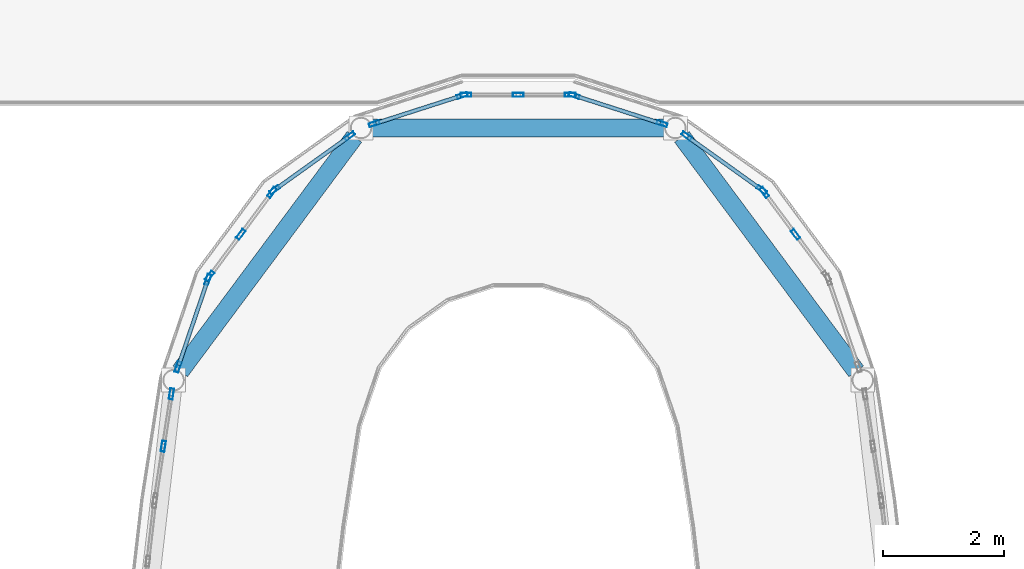
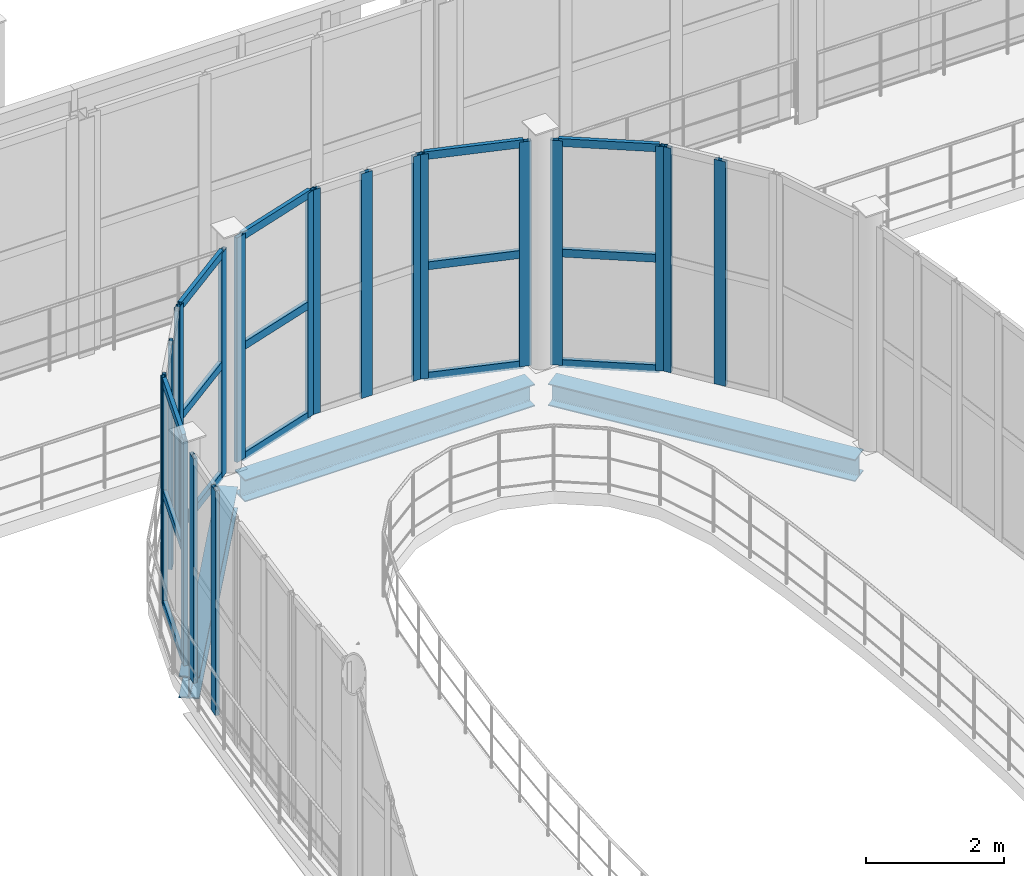
# One storey, part 45 of 138: 35 members, 3 beams, 9 elements without a shape of their own.
"""IFC4 building model written with IfcOpenShell, lengths in metres."""

from ifc_helpers import new_model, si_unit, direction, frame, origin, origin_2d, place, context, subcontext, project, spatial, hollow_rectangle, i_section, extrude, material, layer, layer_set, material_profile, profile_set, type_object, element, aggregate, save


model = new_model("IFC4")

# Units and contexts
model_context = context("Model", 3, precision=1e-05, world=origin(), true_north=direction((0.0, 1.0)))
body_context = subcontext(model_context, "Body", "Model", "MODEL_VIEW")
ifc_project = project(units=[si_unit("LENGTHUNIT", "METRE"), si_unit("AREAUNIT", "SQUARE_METRE"), si_unit("VOLUMEUNIT", "CUBIC_METRE"), si_unit("PLANEANGLEUNIT", "RADIAN"), si_unit("MASSUNIT", "GRAM", prefix="KILO")], contexts=[model_context])

# Site, building, storey
site_placement = place(None, origin())
site = spatial("IfcSite", under=ifc_project, at=site_placement, CompositionType="ELEMENT")
building_placement = place(site_placement, origin())
building = spatial("IfcBuilding", under=site, at=building_placement, Name="Vinh Khe Railworks Police Headquarters", CompositionType="ELEMENT")
storey_placement = place(building_placement, frame((0.0, 0.0, 9.0)))
storey = spatial("IfcBuildingStorey", under=building, at=storey_placement, Name="L02", CompositionType="ELEMENT", Elevation=9.0)

# Curtain wall, members
ifc_material_1 = material(Name="Anodised aluminium and acoustic laminated glass", Category="aluminium")
ifc_layer = layer(ifc_material_1, 0.159912109375)
ifc_layer_set = layer_set([ifc_layer], Name="Anodised aluminium and acoustic laminated glass")
curtain_wall_type = type_object("IfcCurtainWallType", Name="CW-DRUM-CHORD", PredefinedType="USERDEFINED", material=ifc_layer_set)
curtain_wall_1_placement = place(storey_placement, origin())
curtain_wall_1 = element("IfcCurtainWall", 1, at=curtain_wall_1_placement, inside=storey, type_object=curtain_wall_type, Name="Elliptical Command Drum Glazing L02 Chord 11", ObjectType="DRUM FACADE GLAZING", PredefinedType="USERDEFINED")
ifc_material_2 = material(Name="Anodised aluminium 6063-T6", Category="aluminium")
ifc_material_profile_1 = material_profile(ifc_material_2, hollow_rectangle(XDim=0.06494140625, YDim=0.179931640625, WallThickness=0.0048828125, at=origin_2d()), Name="CW-M 65x180x5")
ifc_profile_set_1 = profile_set([ifc_material_profile_1], Name="Anodised aluminium 6063-T6")
member_type_1 = type_object("IfcMemberType", Name="MULL-CWM-02", PredefinedType="MULLION", material=ifc_profile_set_1)
member_1_placement = place(storey_placement, frame((47.799072265625, 53.4736328125, 0.0), z_axis=(0.0, 0.0, 1.0), x_axis=(-0.802591949394, -0.596528425784, 0.0)))
member_1 = element("IfcMember", 2, at=member_1_placement, type_object=member_type_1, Name="CW-02 mullion 2", PredefinedType="MULLION", context=body_context, shape_type="SweptSolid", body=[
    extrude(hollow_rectangle(XDim=0.06494140625, YDim=0.179931640625, WallThickness=0.0048828125, at=origin_2d()), origin(), (0.0, 0.0, 1.0), 3.969970703125),
])
member_2_placement = place(storey_placement, frame((47.283447265625, 54.16748046875, 0.0), z_axis=(0.0, 0.0, 1.0), x_axis=(-0.802591949394, -0.596528425784, 0.0)))
member_2 = element("IfcMember", 3, at=member_2_placement, type_object=member_type_1, Name="CW-02 mullion 3", PredefinedType="MULLION", context=body_context, shape_type="SweptSolid", body=[
    extrude(hollow_rectangle(XDim=0.06494140625, YDim=0.179931640625, WallThickness=0.0048828125, at=origin_2d()), origin(), (0.0, 0.0, 1.0), 3.969970703125),
])
aggregate(curtain_wall_1, [member_1, member_2])

curtain_wall_2_placement = place(storey_placement, origin())
curtain_wall_2 = element("IfcCurtainWall", 4, at=curtain_wall_2_placement, inside=storey, type_object=curtain_wall_type, Name="Elliptical Command Drum Glazing L02 Chord 12", ObjectType="DRUM FACADE GLAZING", PredefinedType="USERDEFINED")
member_3_placement = place(storey_placement, frame((47.237548828125, 54.21240234375, 0.0), z_axis=(0.0, 0.0, 1.0), x_axis=(-0.581915407422, -0.813249321306, 0.0)))
member_3 = element("IfcMember", 5, at=member_3_placement, type_object=member_type_1, Name="CW-02 mullion 1", PredefinedType="MULLION", context=body_context, shape_type="SweptSolid", body=[
    extrude(hollow_rectangle(XDim=0.06494140625, YDim=0.179931640625, WallThickness=0.0048828125, at=origin_2d()), origin(), (0.0, 0.0, 1.0), 3.969970703125),
])
member_4_placement = place(storey_placement, frame((45.992431640625, 55.103515625, 0.0), z_axis=(0.0, 0.0, 1.0), x_axis=(-0.581915407422, -0.813249321306, 0.0)))
member_4 = element("IfcMember", 6, at=member_4_placement, type_object=member_type_1, Name="CW-02 mullion 2", PredefinedType="MULLION", context=body_context, shape_type="SweptSolid", body=[
    extrude(hollow_rectangle(XDim=0.06494140625, YDim=0.179931640625, WallThickness=0.0048828125, at=origin_2d()), origin(), (0.0, 0.0, 1.0), 3.969970703125),
])

curtain_wall_3_placement = place(storey_placement, origin())
curtain_wall_3 = element("IfcCurtainWall", 7, at=curtain_wall_3_placement, inside=storey, type_object=curtain_wall_type, Name="Elliptical Command Drum Glazing L02 Chord 13", ObjectType="DRUM FACADE GLAZING", PredefinedType="USERDEFINED")
member_5_placement = place(storey_placement, frame((45.585693359375, 55.307861328125, 0.0), z_axis=(0.0, 0.0, 1.0), x_axis=(-0.305575355525, -0.952167895959, 0.0)))
member_5 = element("IfcMember", 8, at=member_5_placement, type_object=member_type_1, Name="CW-02 mullion 1", PredefinedType="MULLION", context=body_context, shape_type="SweptSolid", body=[
    extrude(hollow_rectangle(XDim=0.06494140625, YDim=0.179931640625, WallThickness=0.0048828125, at=origin_2d()), origin(), (0.0, 0.0, 1.0), 3.969970703125),
])
member_6_placement = place(storey_placement, frame((44.1279296875, 55.775634765625, 0.0), z_axis=(0.0, 0.0, 1.0), x_axis=(-0.305575355525, -0.952167895959, 0.0)))
member_6 = element("IfcMember", 9, at=member_6_placement, type_object=member_type_1, Name="CW-02 mullion 2", PredefinedType="MULLION", context=body_context, shape_type="SweptSolid", body=[
    extrude(hollow_rectangle(XDim=0.06494140625, YDim=0.179931640625, WallThickness=0.0048828125, at=origin_2d()), origin(), (0.0, 0.0, 1.0), 3.969970703125),
])

curtain_wall_4_placement = place(storey_placement, origin())
curtain_wall_4 = element("IfcCurtainWall", 10, at=curtain_wall_4_placement, inside=storey, type_object=curtain_wall_type, Name="Elliptical Command Drum Glazing L02 Chord 14", ObjectType="DRUM FACADE GLAZING", PredefinedType="USERDEFINED")
member_7_placement = place(storey_placement, frame((44.064453125, 55.78564453125, 0.0), z_axis=(0.0, 0.0, 1.0), x_axis=(0.0, -1.0, 0.0)))
member_7 = element("IfcMember", 11, at=member_7_placement, type_object=member_type_1, Name="CW-02 mullion 1", PredefinedType="MULLION", context=body_context, shape_type="SweptSolid", body=[
    extrude(hollow_rectangle(XDim=0.06494140625, YDim=0.179931640625, WallThickness=0.0048828125, at=origin_2d()), origin(), (0.0, 0.0, 1.0), 3.969970703125),
])
member_8_placement = place(storey_placement, frame((43.199951171875, 55.78564453125, 0.0), z_axis=(0.0, 0.0, 1.0), x_axis=(0.0, -1.0, 0.0)))
member_8 = element("IfcMember", 12, at=member_8_placement, type_object=member_type_1, Name="CW-02 mullion 2", PredefinedType="MULLION", context=body_context, shape_type="SweptSolid", body=[
    extrude(hollow_rectangle(XDim=0.06494140625, YDim=0.179931640625, WallThickness=0.0048828125, at=origin_2d()), origin(), (0.0, 0.0, 1.0), 3.969970703125),
])
member_9_placement = place(storey_placement, frame((42.33544921875, 55.78564453125, 0.0), z_axis=(0.0, 0.0, 1.0), x_axis=(0.0, -1.0, 0.0)))
member_9 = element("IfcMember", 13, at=member_9_placement, type_object=member_type_1, Name="CW-02 mullion 3", PredefinedType="MULLION", context=body_context, shape_type="SweptSolid", body=[
    extrude(hollow_rectangle(XDim=0.06494140625, YDim=0.179931640625, WallThickness=0.0048828125, at=origin_2d()), origin(), (0.0, 0.0, 1.0), 3.969970703125),
])
aggregate(curtain_wall_4, [member_7, member_8, member_9])

curtain_wall_5_placement = place(storey_placement, origin())
curtain_wall_5 = element("IfcCurtainWall", 14, at=curtain_wall_5_placement, inside=storey, type_object=curtain_wall_type, Name="Elliptical Command Drum Glazing L02 Chord 15", ObjectType="DRUM FACADE GLAZING", PredefinedType="USERDEFINED")
member_10_placement = place(storey_placement, frame((42.27197265625, 55.775634765625, 0.0), z_axis=(0.0, 0.0, 1.0), x_axis=(0.305575355525, -0.952167895959, 0.0)))
member_10 = element("IfcMember", 15, at=member_10_placement, type_object=member_type_1, Name="CW-02 mullion 1", PredefinedType="MULLION", context=body_context, shape_type="SweptSolid", body=[
    extrude(hollow_rectangle(XDim=0.06494140625, YDim=0.179931640625, WallThickness=0.0048828125, at=origin_2d()), origin(), (0.0, 0.0, 1.0), 3.969970703125),
])
member_11_placement = place(storey_placement, frame((40.814208984375, 55.307861328125, 0.0), z_axis=(0.0, 0.0, 1.0), x_axis=(0.305575355525, -0.952167895959, 0.0)))
member_11 = element("IfcMember", 16, at=member_11_placement, type_object=member_type_1, Name="CW-02 mullion 2", PredefinedType="MULLION", context=body_context, shape_type="SweptSolid", body=[
    extrude(hollow_rectangle(XDim=0.06494140625, YDim=0.179931640625, WallThickness=0.0048828125, at=origin_2d()), origin(), (0.0, 0.0, 1.0), 3.969970703125),
])

curtain_wall_6_placement = place(storey_placement, origin())
curtain_wall_6 = element("IfcCurtainWall", 17, at=curtain_wall_6_placement, inside=storey, type_object=curtain_wall_type, Name="Elliptical Command Drum Glazing L02 Chord 16", ObjectType="DRUM FACADE GLAZING", PredefinedType="USERDEFINED")
member_12_placement = place(storey_placement, frame((40.40771484375, 55.103515625, 0.0), z_axis=(0.0, 0.0, 1.0), x_axis=(0.581915407422, -0.813249321306, 0.0)))
member_12 = element("IfcMember", 18, at=member_12_placement, type_object=member_type_1, Name="CW-02 mullion 1", PredefinedType="MULLION", context=body_context, shape_type="SweptSolid", body=[
    extrude(hollow_rectangle(XDim=0.06494140625, YDim=0.179931640625, WallThickness=0.0048828125, at=origin_2d()), origin(), (0.0, 0.0, 1.0), 3.969970703125),
])
member_13_placement = place(storey_placement, frame((39.162353515625, 54.21240234375, 0.0), z_axis=(0.0, 0.0, 1.0), x_axis=(0.581915407422, -0.813249321306, 0.0)))
member_13 = element("IfcMember", 19, at=member_13_placement, type_object=member_type_1, Name="CW-02 mullion 2", PredefinedType="MULLION", context=body_context, shape_type="SweptSolid", body=[
    extrude(hollow_rectangle(XDim=0.06494140625, YDim=0.179931640625, WallThickness=0.0048828125, at=origin_2d()), origin(), (0.0, 0.0, 1.0), 3.969970703125),
])

curtain_wall_7_placement = place(storey_placement, origin())
curtain_wall_7 = element("IfcCurtainWall", 20, at=curtain_wall_7_placement, inside=storey, type_object=curtain_wall_type, Name="Elliptical Command Drum Glazing L02 Chord 17", ObjectType="DRUM FACADE GLAZING", PredefinedType="USERDEFINED")
member_14_placement = place(storey_placement, frame((39.11669921875, 54.16748046875, 0.0), z_axis=(0.0, 0.0, 1.0), x_axis=(0.802591949394, -0.596528425784, 0.0)))
member_14 = element("IfcMember", 21, at=member_14_placement, type_object=member_type_1, Name="CW-02 mullion 1", PredefinedType="MULLION", context=body_context, shape_type="SweptSolid", body=[
    extrude(hollow_rectangle(XDim=0.06494140625, YDim=0.179931640625, WallThickness=0.0048828125, at=origin_2d()), origin(), (0.0, 0.0, 1.0), 3.969970703125),
])
member_15_placement = place(storey_placement, frame((38.60107421875, 53.4736328125, 0.0), z_axis=(0.0, 0.0, 1.0), x_axis=(0.802591949394, -0.596528425784, 0.0)))
member_15 = element("IfcMember", 22, at=member_15_placement, type_object=member_type_1, Name="CW-02 mullion 2", PredefinedType="MULLION", context=body_context, shape_type="SweptSolid", body=[
    extrude(hollow_rectangle(XDim=0.06494140625, YDim=0.179931640625, WallThickness=0.0048828125, at=origin_2d()), origin(), (0.0, 0.0, 1.0), 3.969970703125),
])
member_16_placement = place(storey_placement, frame((38.085205078125, 52.77978515625, 0.0), z_axis=(0.0, 0.0, 1.0), x_axis=(0.802591949394, -0.596528425784, 0.0)))
member_16 = element("IfcMember", 23, at=member_16_placement, type_object=member_type_1, Name="CW-02 mullion 3", PredefinedType="MULLION", context=body_context, shape_type="SweptSolid", body=[
    extrude(hollow_rectangle(XDim=0.06494140625, YDim=0.179931640625, WallThickness=0.0048828125, at=origin_2d()), origin(), (0.0, 0.0, 1.0), 3.969970703125),
])
aggregate(curtain_wall_7, [member_14, member_15, member_16])

curtain_wall_8_placement = place(storey_placement, origin())
curtain_wall_8 = element("IfcCurtainWall", 24, at=curtain_wall_8_placement, inside=storey, type_object=curtain_wall_type, Name="Elliptical Command Drum Glazing L02 Chord 18", ObjectType="DRUM FACADE GLAZING", PredefinedType="USERDEFINED")
member_17_placement = place(storey_placement, frame((38.055419921875, 52.72314453125, 0.0), z_axis=(0.0, 0.0, 1.0), x_axis=(0.946485571054, -0.322746129004, 0.0)))
member_17 = element("IfcMember", 25, at=member_17_placement, type_object=member_type_1, Name="CW-02 mullion 1", PredefinedType="MULLION", context=body_context, shape_type="SweptSolid", body=[
    extrude(hollow_rectangle(XDim=0.06494140625, YDim=0.179931640625, WallThickness=0.0048828125, at=origin_2d()), origin(), (0.0, 0.0, 1.0), 3.969970703125),
])
member_18_placement = place(storey_placement, frame((37.561279296875, 51.27392578125, 0.0), z_axis=(0.0, 0.0, 1.0), x_axis=(0.946485571054, -0.322746129004, 0.0)))
member_18 = element("IfcMember", 26, at=member_18_placement, type_object=member_type_1, Name="CW-02 mullion 2", PredefinedType="MULLION", context=body_context, shape_type="SweptSolid", body=[
    extrude(hollow_rectangle(XDim=0.06494140625, YDim=0.179931640625, WallThickness=0.0048828125, at=origin_2d()), origin(), (0.0, 0.0, 1.0), 3.969970703125),
])

curtain_wall_9_placement = place(storey_placement, origin())
curtain_wall_9 = element("IfcCurtainWall", 27, at=curtain_wall_9_placement, inside=storey, type_object=curtain_wall_type, Name="Elliptical Command Drum Glazing L02 Chord 19", ObjectType="DRUM FACADE GLAZING", PredefinedType="USERDEFINED")
member_19_placement = place(storey_placement, frame((37.45166015625, 50.828369140625, 0.0), z_axis=(0.0, 0.0, 1.0), x_axis=(0.988150166575, -0.153490222159, 0.0)))
member_19 = element("IfcMember", 28, at=member_19_placement, type_object=member_type_1, Name="CW-02 mullion 1", PredefinedType="MULLION", context=body_context, shape_type="SweptSolid", body=[
    extrude(hollow_rectangle(XDim=0.06494140625, YDim=0.179931640625, WallThickness=0.0048828125, at=origin_2d()), origin(), (0.0, 0.0, 1.0), 3.969970703125),
])
member_20_placement = place(storey_placement, frame((37.316650390625, 49.958984375, 0.0), z_axis=(0.0, 0.0, 1.0), x_axis=(0.988150166575, -0.153490222159, 0.0)))
member_20 = element("IfcMember", 29, at=member_20_placement, type_object=member_type_1, Name="CW-02 mullion 2", PredefinedType="MULLION", context=body_context, shape_type="SweptSolid", body=[
    extrude(hollow_rectangle(XDim=0.06494140625, YDim=0.179931640625, WallThickness=0.0048828125, at=origin_2d()), origin(), (0.0, 0.0, 1.0), 3.969970703125),
])
aggregate(curtain_wall_9, [member_19, member_20])

# Beams
ifc_material_3 = material(Name="Steel S355JR", Category="steel")
ifc_material_profile_2 = material_profile(ifc_material_3, i_section(OverallWidth=0.300048828125, OverallDepth=0.389892578125, WebThickness=0.010986328125, FlangeThickness=0.01904296875, FilletRadius=0.027099609375, at=origin_2d()), Name="HEA 400")
ifc_profile_set_2 = profile_set([ifc_material_profile_2], Name="Steel S355JR")
beam_type = type_object("IfcBeamType", Name="Steel Girder HEA 400", PredefinedType="BEAM", material=ifc_profile_set_2)
for number, where, z_axis, x_axis, name in (
    (30, (48.8037109375, 51.202880859375, -0.4150390625), (-0.596510507995, 0.802605266524, 0.0), (-0.802605266524, -0.596510507995, 0.0), "Drum Ring Girder BM-L02-DRUM-SB-14-1026"),
    (31, (45.621826171875, 55.237548828125, -0.4150390625), (-1.0, 0.0, 0.0), (0.0, -1.0, 0.0), "Drum Ring Girder BM-L02-DRUM-SB-14-1027"),
    (32, (40.485595703125, 55.090576171875, -0.4150390625), (-0.596510507995, -0.802605266524, 0.0), (0.802605266524, -0.596510507995, 0.0), "Drum Ring Girder BM-L02-DRUM-SB-14-1028"),
):
    element("IfcBeam", number, at=place(storey_placement, frame(where, z_axis=z_axis, x_axis=x_axis)), inside=storey, type_object=beam_type, Name=name, PredefinedType="BEAM", context=body_context, shape_type="SweptSolid", body=[
        extrude(i_section(OverallWidth=0.300048828125, OverallDepth=0.389892578125, WebThickness=0.010986328125, FlangeThickness=0.01904296875, FilletRadius=0.027099609375, at=origin_2d()), origin(), (0.0, 0.0, 1.0), 4.84375),
    ])

# Member
ifc_material_profile_3 = material_profile(ifc_material_2, hollow_rectangle(XDim=0.06494140625, YDim=0.139892578125, WallThickness=0.00390625, at=origin_2d()), Name="CW-T 65x140x4")
ifc_profile_set_3 = profile_set([ifc_material_profile_3], Name="Anodised aluminium 6063-T6")
member_type_2 = type_object("IfcMemberType", Name="TRAN-CWT-02", PredefinedType="USERDEFINED", material=ifc_profile_set_3)
member_21_placement = place(storey_placement, frame((47.211181640625, 54.2314453125, 0.032470703125), z_axis=(-0.813305688123, 0.58183662455, 0.0), x_axis=(-0.58183662455, -0.813305688123, 0.0)))
member_21 = element("IfcMember", 33, at=member_21_placement, type_object=member_type_2, Name="CW-02 transom 1.1", ObjectType="TRANSOM", PredefinedType="USERDEFINED", context=body_context, shape_type="SweptSolid", body=[
    extrude(hollow_rectangle(XDim=0.06494140625, YDim=0.139892578125, WallThickness=0.00390625, at=origin_2d()), origin(), (0.0, 0.0, 1.0), 1.466064453125),
])

member_22_placement = place(storey_placement, frame((47.211181640625, 54.2314453125, 1.985107421875), z_axis=(-0.813305688123, 0.58183662455, 0.0), x_axis=(-0.58183662455, -0.813305688123, 0.0)))
member_22 = element("IfcMember", 34, at=member_22_placement, type_object=member_type_2, Name="CW-02 transom 1.2", ObjectType="TRANSOM", PredefinedType="USERDEFINED", context=body_context, shape_type="SweptSolid", body=[
    extrude(hollow_rectangle(XDim=0.06494140625, YDim=0.139892578125, WallThickness=0.00390625, at=origin_2d()), origin(), (0.0, 0.0, 1.0), 1.466064453125),
])

member_23_placement = place(storey_placement, frame((47.211181640625, 54.2314453125, 3.9375), z_axis=(-0.813305688123, 0.58183662455, 0.0), x_axis=(-0.58183662455, -0.813305688123, 0.0)))
member_23 = element("IfcMember", 35, at=member_23_placement, type_object=member_type_2, Name="CW-02 transom 1.3", ObjectType="TRANSOM", PredefinedType="USERDEFINED", context=body_context, shape_type="SweptSolid", body=[
    extrude(hollow_rectangle(XDim=0.06494140625, YDim=0.139892578125, WallThickness=0.00390625, at=origin_2d()), origin(), (0.0, 0.0, 1.0), 1.466064453125),
])

aggregate(curtain_wall_2, [member_3, member_4, member_21, member_22, member_23])

member_24_placement = place(storey_placement, frame((45.554931640625, 55.31787109375, 0.032470703125), z_axis=(-0.952170531447, 0.305567143268, 0.0), x_axis=(-0.305567143268, -0.952170531447, 0.0)))
member_24 = element("IfcMember", 36, at=member_24_placement, type_object=member_type_2, Name="CW-02 transom 1.1", ObjectType="TRANSOM", PredefinedType="USERDEFINED", context=body_context, shape_type="SweptSolid", body=[
    extrude(hollow_rectangle(XDim=0.06494140625, YDim=0.139892578125, WallThickness=0.00390625, at=origin_2d()), origin(), (0.0, 0.0, 1.0), 1.466064453125),
])

member_25_placement = place(storey_placement, frame((45.554931640625, 55.31787109375, 1.985107421875), z_axis=(-0.952170531447, 0.305567143268, 0.0), x_axis=(-0.305567143268, -0.952170531447, 0.0)))
member_25 = element("IfcMember", 37, at=member_25_placement, type_object=member_type_2, Name="CW-02 transom 1.2", ObjectType="TRANSOM", PredefinedType="USERDEFINED", context=body_context, shape_type="SweptSolid", body=[
    extrude(hollow_rectangle(XDim=0.06494140625, YDim=0.139892578125, WallThickness=0.00390625, at=origin_2d()), origin(), (0.0, 0.0, 1.0), 1.466064453125),
])

member_26_placement = place(storey_placement, frame((45.554931640625, 55.31787109375, 3.9375), z_axis=(-0.952170531447, 0.305567143268, 0.0), x_axis=(-0.305567143268, -0.952170531447, 0.0)))
member_26 = element("IfcMember", 38, at=member_26_placement, type_object=member_type_2, Name="CW-02 transom 1.3", ObjectType="TRANSOM", PredefinedType="USERDEFINED", context=body_context, shape_type="SweptSolid", body=[
    extrude(hollow_rectangle(XDim=0.06494140625, YDim=0.139892578125, WallThickness=0.00390625, at=origin_2d()), origin(), (0.0, 0.0, 1.0), 1.466064453125),
])

aggregate(curtain_wall_3, [member_5, member_6, member_24, member_25, member_26])

member_27_placement = place(storey_placement, frame((42.2412109375, 55.765869140625, 0.032470703125), z_axis=(-0.952170531447, -0.305567143268, 0.0), x_axis=(0.305567143268, -0.952170531447, 0.0)))
member_27 = element("IfcMember", 39, at=member_27_placement, type_object=member_type_2, Name="CW-02 transom 1.1", ObjectType="TRANSOM", PredefinedType="USERDEFINED", context=body_context, shape_type="SweptSolid", body=[
    extrude(hollow_rectangle(XDim=0.06494140625, YDim=0.139892578125, WallThickness=0.00390625, at=origin_2d()), origin(), (0.0, 0.0, 1.0), 1.466064453125),
])

member_28_placement = place(storey_placement, frame((42.2412109375, 55.765869140625, 1.985107421875), z_axis=(-0.952170531447, -0.305567143268, 0.0), x_axis=(0.305567143268, -0.952170531447, 0.0)))
member_28 = element("IfcMember", 40, at=member_28_placement, type_object=member_type_2, Name="CW-02 transom 1.2", ObjectType="TRANSOM", PredefinedType="USERDEFINED", context=body_context, shape_type="SweptSolid", body=[
    extrude(hollow_rectangle(XDim=0.06494140625, YDim=0.139892578125, WallThickness=0.00390625, at=origin_2d()), origin(), (0.0, 0.0, 1.0), 1.466064453125),
])

member_29_placement = place(storey_placement, frame((42.2412109375, 55.765869140625, 3.9375), z_axis=(-0.952170531447, -0.305567143268, 0.0), x_axis=(0.305567143268, -0.952170531447, 0.0)))
member_29 = element("IfcMember", 41, at=member_29_placement, type_object=member_type_2, Name="CW-02 transom 1.3", ObjectType="TRANSOM", PredefinedType="USERDEFINED", context=body_context, shape_type="SweptSolid", body=[
    extrude(hollow_rectangle(XDim=0.06494140625, YDim=0.139892578125, WallThickness=0.00390625, at=origin_2d()), origin(), (0.0, 0.0, 1.0), 1.466064453125),
])

aggregate(curtain_wall_5, [member_10, member_11, member_27, member_28, member_29])

member_30_placement = place(storey_placement, frame((40.381103515625, 55.08447265625, 0.032470703125), z_axis=(-0.813249302485, -0.581915433726, 0.0), x_axis=(0.581915433726, -0.813249302485, 0.0)))
member_30 = element("IfcMember", 42, at=member_30_placement, type_object=member_type_2, Name="CW-02 transom 1.1", ObjectType="TRANSOM", PredefinedType="USERDEFINED", context=body_context, shape_type="SweptSolid", body=[
    extrude(hollow_rectangle(XDim=0.06494140625, YDim=0.139892578125, WallThickness=0.00390625, at=origin_2d()), origin(), (0.0, 0.0, 1.0), 1.4658203125),
])

member_31_placement = place(storey_placement, frame((40.381103515625, 55.08447265625, 1.985107421875), z_axis=(-0.813249302485, -0.581915433726, 0.0), x_axis=(0.581915433726, -0.813249302485, 0.0)))
member_31 = element("IfcMember", 43, at=member_31_placement, type_object=member_type_2, Name="CW-02 transom 1.2", ObjectType="TRANSOM", PredefinedType="USERDEFINED", context=body_context, shape_type="SweptSolid", body=[
    extrude(hollow_rectangle(XDim=0.06494140625, YDim=0.139892578125, WallThickness=0.00390625, at=origin_2d()), origin(), (0.0, 0.0, 1.0), 1.4658203125),
])

member_32_placement = place(storey_placement, frame((40.381103515625, 55.08447265625, 3.9375), z_axis=(-0.813249302485, -0.581915433726, 0.0), x_axis=(0.581915433726, -0.813249302485, 0.0)))
member_32 = element("IfcMember", 44, at=member_32_placement, type_object=member_type_2, Name="CW-02 transom 1.3", ObjectType="TRANSOM", PredefinedType="USERDEFINED", context=body_context, shape_type="SweptSolid", body=[
    extrude(hollow_rectangle(XDim=0.06494140625, YDim=0.139892578125, WallThickness=0.00390625, at=origin_2d()), origin(), (0.0, 0.0, 1.0), 1.4658203125),
])

aggregate(curtain_wall_6, [member_12, member_13, member_30, member_31, member_32])

member_33_placement = place(storey_placement, frame((38.044921875, 52.6923828125, 0.032470703125), z_axis=(-0.322714613398, -0.946496317108, 0.0), x_axis=(0.946496317108, -0.322714613398, 0.0)))
member_33 = element("IfcMember", 45, at=member_33_placement, type_object=member_type_2, Name="CW-02 transom 1.1", ObjectType="TRANSOM", PredefinedType="USERDEFINED", context=body_context, shape_type="SweptSolid", body=[
    extrude(hollow_rectangle(XDim=0.06494140625, YDim=0.139892578125, WallThickness=0.00390625, at=origin_2d()), origin(), (0.0, 0.0, 1.0), 1.466064453125),
])

member_34_placement = place(storey_placement, frame((38.044921875, 52.6923828125, 1.985107421875), z_axis=(-0.322714613398, -0.946496317108, 0.0), x_axis=(0.946496317108, -0.322714613398, 0.0)))
member_34 = element("IfcMember", 46, at=member_34_placement, type_object=member_type_2, Name="CW-02 transom 1.2", ObjectType="TRANSOM", PredefinedType="USERDEFINED", context=body_context, shape_type="SweptSolid", body=[
    extrude(hollow_rectangle(XDim=0.06494140625, YDim=0.139892578125, WallThickness=0.00390625, at=origin_2d()), origin(), (0.0, 0.0, 1.0), 1.466064453125),
])

member_35_placement = place(storey_placement, frame((38.044921875, 52.6923828125, 3.9375), z_axis=(-0.322714613398, -0.946496317108, 0.0), x_axis=(0.946496317108, -0.322714613398, 0.0)))
member_35 = element("IfcMember", 47, at=member_35_placement, type_object=member_type_2, Name="CW-02 transom 1.3", ObjectType="TRANSOM", PredefinedType="USERDEFINED", context=body_context, shape_type="SweptSolid", body=[
    extrude(hollow_rectangle(XDim=0.06494140625, YDim=0.139892578125, WallThickness=0.00390625, at=origin_2d()), origin(), (0.0, 0.0, 1.0), 1.466064453125),
])

aggregate(curtain_wall_8, [member_17, member_18, member_33, member_34, member_35])

save(model, "model.ifc")
